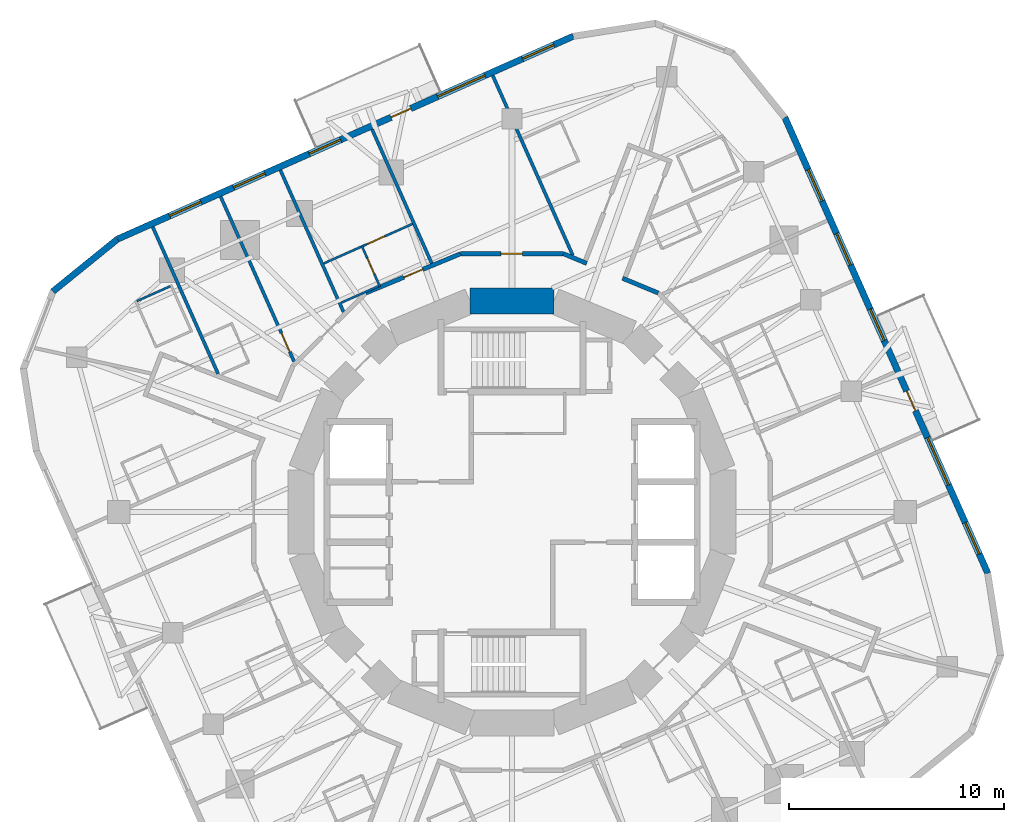
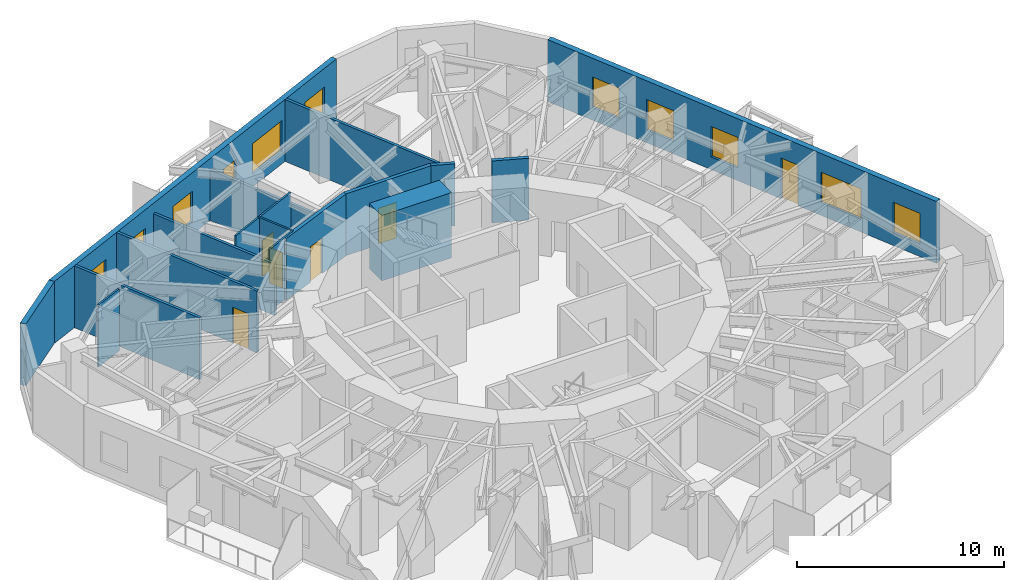
# One storey, part 9 of 12: 18 walls, 10 windows, 7 doors, 17 openings.
"""IFC4 building model written with IfcOpenShell, lengths in metres."""

from ifc_helpers import new_model, si_unit, direction, frame, frame_2d, origin, place, context, subcontext, project, spatial, rectangle, extrude, material, layer, layer_set, type_object, element, fill, save


model = new_model("IFC4")

# Units and contexts
model_context = context("Model", 3, precision=1e-05, world=origin(), true_north=direction((0.0, 1.0)))
body_context = subcontext(model_context, "Body", "Model", "MODEL_VIEW")
ifc_project = project(units=[si_unit("LENGTHUNIT", "METRE"), si_unit("AREAUNIT", "SQUARE_METRE"), si_unit("VOLUMEUNIT", "CUBIC_METRE"), si_unit("PLANEANGLEUNIT", "RADIAN"), si_unit("MASSUNIT", "GRAM", prefix="KILO")], contexts=[model_context])

# Site, building, storey
site_placement = place(None, origin())
site = spatial("IfcSite", under=ifc_project, at=site_placement, CompositionType="ELEMENT")
building_placement = place(site_placement, origin())
building = spatial("IfcBuilding", under=site, at=building_placement, Name="Nakasero Lantern House", CompositionType="ELEMENT")
storey_placement = place(building_placement, frame((0.0, 0.0, 197.85009765625)))
storey = spatial("IfcBuildingStorey", under=building, at=storey_placement, Name="L48", CompositionType="ELEMENT", Elevation=197.85009765625)

# Wall
ifc_material_1 = material(Name="Concrete C50/60", Category="concrete")
ifc_layer_1 = layer(ifc_material_1, 1.199951171875)
ifc_layer_set_1 = layer_set([ifc_layer_1], Name="Core wall 1200")
wall_type_1 = type_object("IfcWallType", Name="Core wall 1200", PredefinedType="SHEAR", material=ifc_layer_set_1)
wall_1_placement = place(storey_placement, frame((1.950927734375, 9.807861328125, 0.0), z_axis=(0.0, 0.0, 1.0), x_axis=(-1.0, 0.0, 0.0)))
element("IfcWall", 1, at=wall_1_placement, inside=storey, type_object=wall_type_1, Name="Core wall L48 facet 4", PredefinedType="SHEAR", context=body_context, shape_type="SweptSolid", body=[
    extrude(rectangle(XDim=3.90185546875, YDim=1.199951171875, at=frame_2d((1.950927734375, 0.0))), origin(), (0.0, 0.0, 1.0), 3.849853515625),
])

# Wall, opening, door
ifc_material_2 = material(Name="Blockwork", Category="masonry")
ifc_layer_2 = layer(ifc_material_2, 0.199951171875)
ifc_layer_set_2 = layer_set([ifc_layer_2], Name="Corridor wall 200")
wall_type_2 = type_object("IfcWallType", Name="Corridor wall 200", PredefinedType="PARTITIONING", material=ifc_layer_set_2)
wall_2_placement = place(storey_placement, frame((-6.802001953125, 10.1796875, 0.0), z_axis=(0.0, 0.0, 1.0), x_axis=(0.923882292998, 0.382676767893, 0.0)))
wall_2 = element("IfcWall", 2, at=wall_2_placement, inside=storey, type_object=wall_type_2, Name="Corridor wall L48 RC11a", PredefinedType="PARTITIONING", context=body_context, shape_type="SweptSolid", body=[
    extrude(rectangle(XDim=4.777099609375, YDim=0.199951171875, at=frame_2d((2.388671875, 0.0))), origin(), (0.0, 0.0, 1.0), 3.64990234375),
])
opening_1_placement = place(wall_2_placement, frame((1.919921875, 0.0, 0.0)))
opening_1 = element("IfcOpeningElement", 3, at=opening_1_placement, cuts=wall_2, Name="Opening D01", PredefinedType="OPENING", context=body_context, shape_type="SweptSolid", body=[
    extrude(rectangle(XDim=0.949951171875, YDim=2.10009765625, at=frame_2d((0.47509765625, 1.050048828125))), frame((0.0, 0.119873046875, 0.0), z_axis=(0.0, -1.0, 0.0), x_axis=(1.0, 0.0, 0.0)), (0.0, 0.0, 1.0), 0.239990234375),
])
ifc_material_3 = material(Name="Timber C24", Category="wood")
door_type_1 = type_object("IfcDoorType", Name="Bedroom door FD30S 950", OperationType="SINGLE_SWING_LEFT", PredefinedType="DOOR", material=ifc_material_3)
door_1_placement = place(opening_1_placement, origin())
door_1 = element("IfcDoor", 4, at=door_1_placement, inside=storey, type_object=door_type_1, Name="Door L48 D1-03", OperationType="SINGLE_SWING_RIGHT", OverallHeight=2.10009765625, OverallWidth=0.949951171875, PredefinedType="DOOR", context=body_context, shape_type="SweptSolid", body=[
    extrude(rectangle(XDim=0.949951171875, YDim=2.10009765625, at=frame_2d((0.47509765625, 1.050048828125))), frame((0.0, 0.02490234375, 0.0), z_axis=(0.0, -1.0, 0.0), x_axis=(1.0, 0.0, 0.0)), (0.0, 0.0, 1.0), 0.050048828125),
])
fill(opening_1, door_1)

wall_3_placement = place(storey_placement, frame((-2.388427734375, 12.0078125, 0.0), z_axis=(0.0, 0.0, 1.0), x_axis=(1.0, 0.0, 0.0)))
wall_3 = element("IfcWall", 5, at=wall_3_placement, inside=storey, type_object=wall_type_2, Name="Corridor wall L48 RC12a", PredefinedType="PARTITIONING", context=body_context, shape_type="SweptSolid", body=[
    extrude(rectangle(XDim=4.77685546875, YDim=0.199951171875, at=frame_2d((2.388427734375, 0.0))), origin(), (0.0, 0.0, 1.0), 3.64990234375),
])
opening_2_placement = place(wall_3_placement, frame((1.8701171875, 0.0, 0.0)))
opening_2 = element("IfcOpeningElement", 6, at=opening_2_placement, cuts=wall_3, Name="Opening D03", PredefinedType="OPENING", context=body_context, shape_type="SweptSolid", body=[
    extrude(rectangle(XDim=1.0, YDim=2.10009765625, at=frame_2d((0.5, 1.050048828125))), frame((0.0, 0.119873046875, 0.0), z_axis=(0.0, -1.0, 0.0), x_axis=(1.0, 0.0, 0.0)), (0.0, 0.0, 1.0), 0.239990234375),
])
ifc_material_4 = material(Name="Timber C24", Category="wood")
door_type_2 = type_object("IfcDoorType", Name="Lounge door FD30S 1000", OperationType="SINGLE_SWING_LEFT", PredefinedType="DOOR", material=ifc_material_4)
door_2_placement = place(opening_2_placement, origin())
door_2 = element("IfcDoor", 7, at=door_2_placement, inside=storey, type_object=door_type_2, Name="Door L48 DK1", OperationType="SINGLE_SWING_LEFT", OverallHeight=2.10009765625, OverallWidth=1.0, PredefinedType="DOOR", context=body_context, shape_type="SweptSolid", body=[
    extrude(rectangle(XDim=1.0, YDim=2.10009765625, at=frame_2d((0.5, 1.050048828125))), frame((0.0, 0.02490234375, 0.0), z_axis=(0.0, -1.0, 0.0), x_axis=(1.0, 0.0, 0.0)), (0.0, 0.0, 1.0), 0.050048828125),
])
fill(opening_2, door_2)

# Walls
wall_4_placement = place(storey_placement, frame((2.388427734375, 12.0078125, 0.0), z_axis=(0.0, 0.0, 1.0), x_axis=(0.923874873612, -0.382694679749, 0.0)))
element("IfcWall", 8, at=wall_4_placement, inside=storey, type_object=wall_type_2, Name="Corridor wall L48 RC13a", PredefinedType="PARTITIONING", context=body_context, shape_type="SweptSolid", body=[
    extrude(rectangle(XDim=1.173828125, YDim=0.199951171875, at=frame_2d((0.5869140625, 0.0))), origin(), (0.0, 0.0, 1.0), 3.64990234375),
])
wall_5_placement = place(storey_placement, frame((5.136474609375, 10.86962890625, 0.0), z_axis=(0.0, 0.0, 1.0), x_axis=(0.923868276622, -0.382710605355, 0.0)))
element("IfcWall", 9, at=wall_5_placement, inside=storey, type_object=wall_type_2, Name="Corridor wall L48 RC13b", PredefinedType="PARTITIONING", context=body_context, shape_type="SweptSolid", body=[
    extrude(rectangle(XDim=1.802734375, YDim=0.199951171875, at=frame_2d((0.9013671875, 0.0))), origin(), (0.0, 0.0, 1.0), 3.64990234375),
])

# Wall, opening, door
ifc_material_5 = material(Name="Blockwork", Category="masonry")
ifc_layer_3 = layer(ifc_material_5, 0.10009765625)
ifc_layer_set_3 = layer_set([ifc_layer_3], Name="En-suite wall 100")
wall_type_3 = type_object("IfcWallType", Name="En-suite wall 100", PredefinedType="PARTITIONING", material=ifc_layer_set_3)
wall_6_placement = place(storey_placement, frame((-6.138916015625, 10.475341796875, 0.0), z_axis=(0.0, 0.0, 1.0), x_axis=(-0.406774771494, 0.913528480824, 0.0)))
wall_6 = element("IfcWall", 10, at=wall_6_placement, inside=storey, type_object=wall_type_3, Name="En-suite wall L48 ES1-03", PredefinedType="PARTITIONING", context=body_context, shape_type="SweptSolid", body=[
    extrude(rectangle(XDim=2.10009765625, YDim=0.10009765625, at=frame_2d((1.050048828125, 0.0))), origin(), (0.0, 0.0, 1.0), 3.64990234375),
])
opening_3_placement = place(wall_6_placement, frame((0.64990234375, 0.0, 0.0)))
opening_3 = element("IfcOpeningElement", 11, at=opening_3_placement, cuts=wall_6, Name="Opening D02", PredefinedType="OPENING", context=body_context, shape_type="SweptSolid", body=[
    extrude(rectangle(XDim=0.800048828125, YDim=2.10009765625, at=frame_2d((0.39990234375, 1.050048828125))), frame((0.0, 0.070068359375, 0.0), z_axis=(0.0, -1.0, 0.0), x_axis=(1.0, 0.0, 0.0)), (0.0, 0.0, 1.0), 0.14013671875),
])
ifc_material_6 = material(Name="Timber C24", Category="wood")
door_type_3 = type_object("IfcDoorType", Name="En-suite door 800", OperationType="SINGLE_SWING_RIGHT", PredefinedType="DOOR", material=ifc_material_6)
door_3_placement = place(opening_3_placement, origin())
door_3 = element("IfcDoor", 12, at=door_3_placement, inside=storey, type_object=door_type_3, Name="Door L48 DE1-03", OperationType="SINGLE_SWING_LEFT", OverallHeight=2.10009765625, OverallWidth=0.800048828125, PredefinedType="DOOR", context=body_context, shape_type="SweptSolid", body=[
    extrude(rectangle(XDim=0.800048828125, YDim=2.10009765625, at=frame_2d((0.39990234375, 1.050048828125))), frame((0.0, 0.02490234375, 0.0), z_axis=(0.0, -1.0, 0.0), x_axis=(1.0, 0.0, 0.0)), (0.0, 0.0, 1.0), 0.050048828125),
])
fill(opening_3, door_3)

# Walls
for number, where, z_axis, x_axis, name in (
    (13, (-7.0185546875, 12.327880859375, 0.0), (0.0, 0.0, 1.0), (-0.913551699523, -0.406722623293, 0.0), "En-suite wall L48 EE1-03"),
    (14, (-6.205078125, 10.500732421875, 0.0), (0.0, 0.0, 1.0), (-0.913551699523, -0.406722623293, 0.0), "En-suite wall L48 EI1-03"),
):
    element("IfcWall", number, at=place(storey_placement, frame(where, z_axis=z_axis, x_axis=x_axis)), inside=storey, type_object=wall_type_3, Name=name, PredefinedType="PARTITIONING", context=body_context, shape_type="SweptSolid", body=[
        extrude(rectangle(XDim=1.89990234375, YDim=0.10009765625, at=frame_2d((0.949951171875, 0.0))), origin(), (0.0, 0.0, 1.0), 3.64990234375),
    ])
wall_7_placement = place(storey_placement, frame((-15.88720703125, 10.495849609375, 0.0), z_axis=(0.0, 0.0, 1.0), x_axis=(-0.913550776237, -0.406724697108, 0.0)))
element("IfcWall", 15, at=wall_7_placement, inside=storey, type_object=wall_type_3, Name="En-suite wall L48 EE1-06", PredefinedType="PARTITIONING", context=body_context, shape_type="SweptSolid", body=[
    extrude(rectangle(XDim=1.699951171875, YDim=0.10009765625, at=frame_2d((0.85009765625, 0.0))), origin(), (0.0, 0.0, 1.0), 3.64990234375),
])

# Wall, opening, door
wall_8_placement = place(storey_placement, frame((-4.629150390625, 13.3916015625, 0.0), z_axis=(0.0, 0.0, 1.0), x_axis=(-0.913563215259, -0.406696756474, 0.0)))
wall_8 = element("IfcWall", 16, at=wall_8_placement, inside=storey, type_object=wall_type_3, Name="En-suite wall L48 EL1-03", PredefinedType="PARTITIONING", context=body_context, shape_type="SweptSolid", body=[
    extrude(rectangle(XDim=2.515380859375, YDim=0.10009765625, at=frame_2d((1.2578125, 0.0))), origin(), (0.0, 0.0, 1.0), 3.64990234375),
])
opening_4_placement = place(wall_8_placement, frame((1.415283203125, 0.0, 0.0)))
opening_4 = element("IfcOpeningElement", 17, at=opening_4_placement, cuts=wall_8, Name="Opening D17", PredefinedType="OPENING", context=body_context, shape_type="SweptSolid", body=[
    extrude(rectangle(XDim=0.89990234375, YDim=2.10009765625, at=frame_2d((0.449951171875, 1.050048828125))), frame((0.0, 0.070068359375, 0.0), z_axis=(0.0, -1.0, 0.0), x_axis=(1.0, 0.0, 0.0)), (0.0, 0.0, 1.0), 0.14013671875),
])
ifc_material_7 = material(Name="Timber C24", Category="wood")
door_type_4 = type_object("IfcDoorType", Name="Bedroom door FD30S 900", OperationType="SINGLE_SWING_LEFT", PredefinedType="DOOR", material=ifc_material_7)
door_4_placement = place(opening_4_placement, origin())
door_4 = element("IfcDoor", 18, at=door_4_placement, inside=storey, type_object=door_type_4, Name="Door L48 DL1-03", OperationType="SINGLE_SWING_RIGHT", OverallHeight=2.10009765625, OverallWidth=0.89990234375, PredefinedType="DOOR", context=body_context, shape_type="SweptSolid", body=[
    extrude(rectangle(XDim=0.89990234375, YDim=2.10009765625, at=frame_2d((0.449951171875, 1.050048828125))), frame((0.0, 0.02490234375, 0.0), z_axis=(0.0, -1.0, 0.0), x_axis=(1.0, 0.0, 0.0)), (0.0, 0.0, 1.0), 0.050048828125),
])
fill(opening_4, door_4)

# Wall, openings, door, windows
ifc_material_8 = material(Name="Aluminium rainscreen on blockwork", Category="masonry")
ifc_layer_4 = layer(ifc_material_8, 0.300048828125)
ifc_layer_set_4 = layer_set([ifc_layer_4], Name="Facade wall 300")
wall_type_4 = type_object("IfcWallType", Name="Facade wall 300", PredefinedType="SOLIDWALL", material=ifc_layer_set_4)
wall_9_placement = place(storey_placement, frame((22.12109375, -2.848876953125, 0.0), z_axis=(0.0, 0.0, 1.0), x_axis=(-0.406734951338, 0.913546210851, 0.0)))
wall_9 = element("IfcWall", 19, at=wall_9_placement, inside=storey, type_object=wall_type_4, Name="Facade wall L48 FW0S", PredefinedType="SOLIDWALL", context=body_context, shape_type="SweptSolid", body=[
    extrude(rectangle(XDim=23.199951171875, YDim=0.300048828125, at=frame_2d((11.60009765625, 0.0))), origin(), (0.0, 0.0, 1.0), 3.64990234375),
])
opening_5_placement = place(wall_9_placement, frame((0.982421875, 0.0, 0.75)))
opening_5 = element("IfcOpeningElement", 20, at=opening_5_placement, cuts=wall_9, Name="Opening W01", PredefinedType="OPENING", context=body_context, shape_type="SweptSolid", body=[
    extrude(rectangle(XDim=1.60009765625, YDim=1.800048828125, at=frame_2d((0.800048828125, 0.89990234375))), frame((0.0, 0.169921875, 0.0), z_axis=(0.0, -1.0, 0.0), x_axis=(1.0, 0.0, 0.0)), (0.0, 0.0, 1.0), 0.340087890625),
])
opening_6_placement = place(wall_9_placement, frame((11.83984375, 0.0, 0.75)))
opening_6 = element("IfcOpeningElement", 21, at=opening_6_placement, cuts=wall_9, Name="Opening W01", PredefinedType="OPENING", context=body_context, shape_type="SweptSolid", body=[
    extrude(rectangle(XDim=1.60009765625, YDim=1.800048828125, at=frame_2d((0.800048828125, 0.89990234375))), frame((0.0, 0.169921875, 0.0), z_axis=(0.0, -1.0, 0.0), x_axis=(1.0, 0.0, 0.0)), (0.0, 0.0, 1.0), 0.340087890625),
])
opening_7_placement = place(wall_9_placement, frame((15.69140625, 0.0, 0.75)))
opening_7 = element("IfcOpeningElement", 22, at=opening_7_placement, cuts=wall_9, Name="Opening W01", PredefinedType="OPENING", context=body_context, shape_type="SweptSolid", body=[
    extrude(rectangle(XDim=1.60009765625, YDim=1.800048828125, at=frame_2d((0.800048828125, 0.89990234375))), frame((0.0, 0.169921875, 0.0), z_axis=(0.0, -1.0, 0.0), x_axis=(1.0, 0.0, 0.0)), (0.0, 0.0, 1.0), 0.340087890625),
])
opening_8_placement = place(wall_9_placement, frame((18.940185546875, 0.0, 0.75)))
opening_8 = element("IfcOpeningElement", 23, at=opening_8_placement, cuts=wall_9, Name="Opening W01", PredefinedType="OPENING", context=body_context, shape_type="SweptSolid", body=[
    extrude(rectangle(XDim=1.60009765625, YDim=1.800048828125, at=frame_2d((0.800048828125, 0.89990234375))), frame((0.0, 0.169921875, 0.0), z_axis=(0.0, -1.0, 0.0), x_axis=(1.0, 0.0, 0.0)), (0.0, 0.0, 1.0), 0.340087890625),
])
opening_9_placement = place(wall_9_placement, frame((4.500244140625, 0.0, 0.75)))
opening_9 = element("IfcOpeningElement", 24, at=opening_9_placement, cuts=wall_9, Name="Opening W03", PredefinedType="OPENING", context=body_context, shape_type="SweptSolid", body=[
    extrude(rectangle(XDim=2.39990234375, YDim=1.800048828125, at=frame_2d((1.199951171875, 0.89990234375))), frame((0.0, 0.169921875, 0.0), z_axis=(0.0, -1.0, 0.0), x_axis=(1.0, 0.0, 0.0)), (0.0, 0.0, 1.0), 0.340087890625),
])
opening_10_placement = place(wall_9_placement, frame((8.271484375, 0.0, 0.0)))
opening_10 = element("IfcOpeningElement", 25, at=opening_10_placement, cuts=wall_9, Name="Opening D04", PredefinedType="OPENING", context=body_context, shape_type="SweptSolid", body=[
    extrude(rectangle(XDim=1.0, YDim=2.39990234375, at=frame_2d((0.5, 1.199951171875))), frame((0.0, 0.169921875, 0.0), z_axis=(0.0, -1.0, 0.0), x_axis=(1.0, 0.0, 0.0)), (0.0, 0.0, 1.0), 0.340087890625),
])
ifc_material_9 = material(Name="Aluminium 6063-T6 and glass", Category="aluminium")
door_type_5 = type_object("IfcDoorType", Name="Balcony door 1000x2400", OperationType="SINGLE_SWING_RIGHT", PredefinedType="DOOR", material=ifc_material_9)
door_5_placement = place(opening_10_placement, origin())
door_5 = element("IfcDoor", 26, at=door_5_placement, inside=storey, type_object=door_type_5, Name="Balcony door L48 DB0", OperationType="SINGLE_SWING_RIGHT", OverallHeight=2.39990234375, OverallWidth=1.0, PredefinedType="DOOR", context=body_context, shape_type="SweptSolid", body=[
    extrude(rectangle(XDim=1.0, YDim=2.39990234375, at=frame_2d((0.5, 1.199951171875))), frame((0.0, 0.02490234375, 0.0), z_axis=(0.0, -1.0, 0.0), x_axis=(1.0, 0.0, 0.0)), (0.0, 0.0, 1.0), 0.050048828125),
])
fill(opening_10, door_5)
ifc_material_10 = material(Name="Aluminium 6063-T6 and glass", Category="aluminium")
window_type_1 = type_object("IfcWindowType", Name="Bedroom window 1600x1800", PartitioningType="SINGLE_PANEL", PredefinedType="WINDOW", material=ifc_material_10)
window_1_placement = place(opening_5_placement, origin())
window_1 = element("IfcWindow", 27, at=window_1_placement, inside=storey, type_object=window_type_1, Name="Window L48 WN0-00", OverallHeight=1.800048828125, OverallWidth=1.60009765625, PartitioningType="SINGLE_PANEL", PredefinedType="WINDOW", context=body_context, shape_type="SweptSolid", body=[
    extrude(rectangle(XDim=1.60009765625, YDim=1.800048828125, at=frame_2d((0.800048828125, 0.89990234375))), frame((0.0, 0.030029296875, 0.0), z_axis=(0.0, -1.0, 0.0), x_axis=(1.0, 0.0, 0.0)), (0.0, 0.0, 1.0), 0.06005859375),
])
fill(opening_5, window_1)
window_2_placement = place(opening_6_placement, origin())
window_2 = element("IfcWindow", 28, at=window_2_placement, inside=storey, type_object=window_type_1, Name="Window L48 WN0-03", OverallHeight=1.800048828125, OverallWidth=1.60009765625, PartitioningType="SINGLE_PANEL", PredefinedType="WINDOW", context=body_context, shape_type="SweptSolid", body=[
    extrude(rectangle(XDim=1.60009765625, YDim=1.800048828125, at=frame_2d((0.800048828125, 0.89990234375))), frame((0.0, 0.030029296875, 0.0), z_axis=(0.0, -1.0, 0.0), x_axis=(1.0, 0.0, 0.0)), (0.0, 0.0, 1.0), 0.06005859375),
])
fill(opening_6, window_2)
window_3_placement = place(opening_7_placement, origin())
window_3 = element("IfcWindow", 29, at=window_3_placement, inside=storey, type_object=window_type_1, Name="Window L48 WN0-04", OverallHeight=1.800048828125, OverallWidth=1.60009765625, PartitioningType="SINGLE_PANEL", PredefinedType="WINDOW", context=body_context, shape_type="SweptSolid", body=[
    extrude(rectangle(XDim=1.60009765625, YDim=1.800048828125, at=frame_2d((0.800048828125, 0.89990234375))), frame((0.0, 0.030029296875, 0.0), z_axis=(0.0, -1.0, 0.0), x_axis=(1.0, 0.0, 0.0)), (0.0, 0.0, 1.0), 0.06005859375),
])
fill(opening_7, window_3)
window_4_placement = place(opening_8_placement, origin())
window_4 = element("IfcWindow", 30, at=window_4_placement, inside=storey, type_object=window_type_1, Name="Window L48 WN0-05", OverallHeight=1.800048828125, OverallWidth=1.60009765625, PartitioningType="SINGLE_PANEL", PredefinedType="WINDOW", context=body_context, shape_type="SweptSolid", body=[
    extrude(rectangle(XDim=1.60009765625, YDim=1.800048828125, at=frame_2d((0.800048828125, 0.89990234375))), frame((0.0, 0.030029296875, 0.0), z_axis=(0.0, -1.0, 0.0), x_axis=(1.0, 0.0, 0.0)), (0.0, 0.0, 1.0), 0.06005859375),
])
fill(opening_8, window_4)
ifc_material_11 = material(Name="Aluminium 6063-T6 and glass", Category="aluminium")
window_type_2 = type_object("IfcWindowType", Name="Lounge window 2400x1800", PartitioningType="SINGLE_PANEL", PredefinedType="WINDOW", material=ifc_material_11)
window_5_placement = place(opening_9_placement, origin())
window_5 = element("IfcWindow", 31, at=window_5_placement, inside=storey, type_object=window_type_2, Name="Window L48 WK0", OverallHeight=1.800048828125, OverallWidth=2.39990234375, PartitioningType="SINGLE_PANEL", PredefinedType="WINDOW", context=body_context, shape_type="SweptSolid", body=[
    extrude(rectangle(XDim=2.39990234375, YDim=1.800048828125, at=frame_2d((1.199951171875, 0.89990234375))), frame((0.0, 0.030029296875, 0.0), z_axis=(0.0, -1.0, 0.0), x_axis=(1.0, 0.0, 0.0)), (0.0, 0.0, 1.0), 0.06005859375),
])
fill(opening_9, window_5)

wall_10_placement = place(storey_placement, frame((2.848876953125, 22.12109375, 0.0), z_axis=(0.0, 0.0, 1.0), x_axis=(-0.913546210851, -0.406734951338, 0.0)))
wall_10 = element("IfcWall", 32, at=wall_10_placement, inside=storey, type_object=wall_type_4, Name="Facade wall L48 FW1S", PredefinedType="SOLIDWALL", context=body_context, shape_type="SweptSolid", body=[
    extrude(rectangle(XDim=23.199951171875, YDim=0.300048828125, at=frame_2d((11.60009765625, 0.0))), origin(), (0.0, 0.0, 1.0), 3.64990234375),
])
opening_11_placement = place(wall_10_placement, frame((0.982421875, 0.0, 0.75)))
opening_11 = element("IfcOpeningElement", 33, at=opening_11_placement, cuts=wall_10, Name="Opening W01", PredefinedType="OPENING", context=body_context, shape_type="SweptSolid", body=[
    extrude(rectangle(XDim=1.60009765625, YDim=1.800048828125, at=frame_2d((0.800048828125, 0.89990234375))), frame((0.0, 0.169921875, 0.0), z_axis=(0.0, -1.0, 0.0), x_axis=(1.0, 0.0, 0.0)), (0.0, 0.0, 1.0), 0.340087890625),
])
opening_12_placement = place(wall_10_placement, frame((11.83984375, 0.0, 0.75)))
opening_12 = element("IfcOpeningElement", 34, at=opening_12_placement, cuts=wall_10, Name="Opening W01", PredefinedType="OPENING", context=body_context, shape_type="SweptSolid", body=[
    extrude(rectangle(XDim=1.60009765625, YDim=1.800048828125, at=frame_2d((0.800048828125, 0.89990234375))), frame((0.0, 0.169921875, 0.0), z_axis=(0.0, -1.0, 0.0), x_axis=(1.0, 0.0, 0.0)), (0.0, 0.0, 1.0), 0.340087890625),
])
opening_13_placement = place(wall_10_placement, frame((15.69140625, 0.0, 0.75)))
opening_13 = element("IfcOpeningElement", 35, at=opening_13_placement, cuts=wall_10, Name="Opening W01", PredefinedType="OPENING", context=body_context, shape_type="SweptSolid", body=[
    extrude(rectangle(XDim=1.60009765625, YDim=1.800048828125, at=frame_2d((0.800048828125, 0.89990234375))), frame((0.0, 0.169921875, 0.0), z_axis=(0.0, -1.0, 0.0), x_axis=(1.0, 0.0, 0.0)), (0.0, 0.0, 1.0), 0.340087890625),
])
opening_14_placement = place(wall_10_placement, frame((18.940185546875, 0.0, 0.75)))
opening_14 = element("IfcOpeningElement", 36, at=opening_14_placement, cuts=wall_10, Name="Opening W01", PredefinedType="OPENING", context=body_context, shape_type="SweptSolid", body=[
    extrude(rectangle(XDim=1.60009765625, YDim=1.800048828125, at=frame_2d((0.800048828125, 0.89990234375))), frame((0.0, 0.169921875, 0.0), z_axis=(0.0, -1.0, 0.0), x_axis=(1.0, 0.0, 0.0)), (0.0, 0.0, 1.0), 0.340087890625),
])
opening_15_placement = place(wall_10_placement, frame((4.500244140625, 0.0, 0.75)))
opening_15 = element("IfcOpeningElement", 37, at=opening_15_placement, cuts=wall_10, Name="Opening W03", PredefinedType="OPENING", context=body_context, shape_type="SweptSolid", body=[
    extrude(rectangle(XDim=2.39990234375, YDim=1.800048828125, at=frame_2d((1.199951171875, 0.89990234375))), frame((0.0, 0.169921875, 0.0), z_axis=(0.0, -1.0, 0.0), x_axis=(1.0, 0.0, 0.0)), (0.0, 0.0, 1.0), 0.340087890625),
])
opening_16_placement = place(wall_10_placement, frame((8.271484375, 0.0, 0.0)))
opening_16 = element("IfcOpeningElement", 38, at=opening_16_placement, cuts=wall_10, Name="Opening D04", PredefinedType="OPENING", context=body_context, shape_type="SweptSolid", body=[
    extrude(rectangle(XDim=1.0, YDim=2.39990234375, at=frame_2d((0.5, 1.199951171875))), frame((0.0, 0.169921875, 0.0), z_axis=(0.0, -1.0, 0.0), x_axis=(1.0, 0.0, 0.0)), (0.0, 0.0, 1.0), 0.340087890625),
])
door_6_placement = place(opening_16_placement, origin())
door_6 = element("IfcDoor", 39, at=door_6_placement, inside=storey, type_object=door_type_5, Name="Balcony door L48 DB1", OperationType="SINGLE_SWING_RIGHT", OverallHeight=2.39990234375, OverallWidth=1.0, PredefinedType="DOOR", context=body_context, shape_type="SweptSolid", body=[
    extrude(rectangle(XDim=1.0, YDim=2.39990234375, at=frame_2d((0.5, 1.199951171875))), frame((0.0, 0.02490234375, 0.0), z_axis=(0.0, -1.0, 0.0), x_axis=(1.0, 0.0, 0.0)), (0.0, 0.0, 1.0), 0.050048828125),
])
fill(opening_16, door_6)
window_6_placement = place(opening_11_placement, origin())
window_6 = element("IfcWindow", 40, at=window_6_placement, inside=storey, type_object=window_type_1, Name="Window L48 WN1-00", OverallHeight=1.800048828125, OverallWidth=1.60009765625, PartitioningType="SINGLE_PANEL", PredefinedType="WINDOW", context=body_context, shape_type="SweptSolid", body=[
    extrude(rectangle(XDim=1.60009765625, YDim=1.800048828125, at=frame_2d((0.800048828125, 0.89990234375))), frame((0.0, 0.030029296875, 0.0), z_axis=(0.0, -1.0, 0.0), x_axis=(1.0, 0.0, 0.0)), (0.0, 0.0, 1.0), 0.06005859375),
])
fill(opening_11, window_6)
window_7_placement = place(opening_12_placement, origin())
window_7 = element("IfcWindow", 41, at=window_7_placement, inside=storey, type_object=window_type_1, Name="Window L48 WN1-03", OverallHeight=1.800048828125, OverallWidth=1.60009765625, PartitioningType="SINGLE_PANEL", PredefinedType="WINDOW", context=body_context, shape_type="SweptSolid", body=[
    extrude(rectangle(XDim=1.60009765625, YDim=1.800048828125, at=frame_2d((0.800048828125, 0.89990234375))), frame((0.0, 0.030029296875, 0.0), z_axis=(0.0, -1.0, 0.0), x_axis=(1.0, 0.0, 0.0)), (0.0, 0.0, 1.0), 0.06005859375),
])
fill(opening_12, window_7)
window_8_placement = place(opening_13_placement, origin())
window_8 = element("IfcWindow", 42, at=window_8_placement, inside=storey, type_object=window_type_1, Name="Window L48 WN1-04", OverallHeight=1.800048828125, OverallWidth=1.60009765625, PartitioningType="SINGLE_PANEL", PredefinedType="WINDOW", context=body_context, shape_type="SweptSolid", body=[
    extrude(rectangle(XDim=1.60009765625, YDim=1.800048828125, at=frame_2d((0.800048828125, 0.89990234375))), frame((0.0, 0.030029296875, 0.0), z_axis=(0.0, -1.0, 0.0), x_axis=(1.0, 0.0, 0.0)), (0.0, 0.0, 1.0), 0.06005859375),
])
fill(opening_13, window_8)
window_9_placement = place(opening_14_placement, origin())
window_9 = element("IfcWindow", 43, at=window_9_placement, inside=storey, type_object=window_type_1, Name="Window L48 WN1-05", OverallHeight=1.800048828125, OverallWidth=1.60009765625, PartitioningType="SINGLE_PANEL", PredefinedType="WINDOW", context=body_context, shape_type="SweptSolid", body=[
    extrude(rectangle(XDim=1.60009765625, YDim=1.800048828125, at=frame_2d((0.800048828125, 0.89990234375))), frame((0.0, 0.030029296875, 0.0), z_axis=(0.0, -1.0, 0.0), x_axis=(1.0, 0.0, 0.0)), (0.0, 0.0, 1.0), 0.06005859375),
])
fill(opening_14, window_9)
window_10_placement = place(opening_15_placement, origin())
window_10 = element("IfcWindow", 44, at=window_10_placement, inside=storey, type_object=window_type_2, Name="Window L48 WK1", OverallHeight=1.800048828125, OverallWidth=2.39990234375, PartitioningType="SINGLE_PANEL", PredefinedType="WINDOW", context=body_context, shape_type="SweptSolid", body=[
    extrude(rectangle(XDim=2.39990234375, YDim=1.800048828125, at=frame_2d((1.199951171875, 0.89990234375))), frame((0.0, 0.030029296875, 0.0), z_axis=(0.0, -1.0, 0.0), x_axis=(1.0, 0.0, 0.0)), (0.0, 0.0, 1.0), 0.06005859375),
])
fill(opening_15, window_10)

# Walls
wall_11_placement = place(storey_placement, frame((-18.345458984375, 12.684814453125, 0.0), z_axis=(0.0, 0.0, 1.0), x_axis=(-0.777174099125, -0.629285642335, 0.0)))
element("IfcWall", 45, at=wall_11_placement, inside=storey, type_object=wall_type_4, Name="Facade wall L48 FW1C1", PredefinedType="SOLIDWALL", context=body_context, shape_type="SweptSolid", body=[
    extrude(rectangle(XDim=3.8564453125, YDim=0.300048828125, at=frame_2d((1.92822265625, 0.0))), origin(), (0.0, 0.0, 1.0), 3.64990234375),
])
ifc_material_12 = material(Name="Blockwork", Category="masonry")
ifc_layer_5 = layer(ifc_material_12, 0.14990234375)
ifc_layer_set_5 = layer_set([ifc_layer_5], Name="Party wall 150")
wall_type_5 = type_object("IfcWallType", Name="Party wall 150", PredefinedType="PARTITIONING", material=ifc_layer_set_5)
wall_12_placement = place(storey_placement, frame((2.824951171875, 11.935302734375, 0.0), z_axis=(0.0, 0.0, 1.0), x_axis=(-0.40672291788, 0.91355156837, 0.0)))
element("IfcWall", 46, at=wall_12_placement, inside=storey, type_object=wall_type_5, Name="Party wall L48 PW1-01", PredefinedType="PARTITIONING", context=body_context, shape_type="SweptSolid", body=[
    extrude(rectangle(XDim=9.1455078125, YDim=0.14990234375, at=frame_2d((4.57275390625, 0.0))), origin(), (0.0, 0.0, 1.0), 3.64990234375),
])
wall_13_placement = place(storey_placement, frame((-3.7314453125, 11.559814453125, 0.0), z_axis=(0.0, 0.0, 1.0), x_axis=(-0.406739408224, 0.913544226514, 0.0)))
element("IfcWall", 47, at=wall_13_placement, inside=storey, type_object=wall_type_5, Name="Party wall L48 PW1-03", PredefinedType="PARTITIONING", context=body_context, shape_type="SweptSolid", body=[
    extrude(rectangle(XDim=6.82177734375, YDim=0.14990234375, at=frame_2d((3.410888671875, 0.0))), origin(), (0.0, 0.0, 1.0), 2.96630859375),
])
wall_14_placement = place(storey_placement, frame((-7.829345703125, 9.293701171875, 0.0), z_axis=(0.0, 0.0, 1.0), x_axis=(-0.406759125496, 0.913535447493, 0.0)))
element("IfcWall", 48, at=wall_14_placement, inside=storey, type_object=wall_type_5, Name="Party wall L48 PW1-04", PredefinedType="PARTITIONING", context=body_context, shape_type="SweptSolid", body=[
    extrude(rectangle(XDim=7.225341796875, YDim=0.14990234375, at=frame_2d((3.61279296875, 0.0))), origin(), (0.0, 0.0, 1.0), 3.03759765625),
])

# Wall, opening, door
wall_15_placement = place(storey_placement, frame((-10.130615234375, 6.99267578125, 0.0), z_axis=(0.0, 0.0, 1.0), x_axis=(-0.406732255089, 0.913547411288, 0.0)))
wall_15 = element("IfcWall", 49, at=wall_15_placement, inside=storey, type_object=wall_type_5, Name="Party wall L48 PW1-05", PredefinedType="PARTITIONING", context=body_context, shape_type="SweptSolid", body=[
    extrude(rectangle(XDim=8.3916015625, YDim=0.14990234375, at=frame_2d((4.19580078125, 0.0))), origin(), (0.0, 0.0, 1.0), 3.64990234375),
])
opening_17_placement = place(wall_15_placement, frame((0.5, 0.0, 0.0)))
opening_17 = element("IfcOpeningElement", 50, at=opening_17_placement, cuts=wall_15, Name="Opening D01", PredefinedType="OPENING", context=body_context, shape_type="SweptSolid", body=[
    extrude(rectangle(XDim=0.949951171875, YDim=2.10009765625, at=frame_2d((0.47509765625, 1.050048828125))), frame((0.0, 0.094970703125, 0.0), z_axis=(0.0, -1.0, 0.0), x_axis=(1.0, 0.0, 0.0)), (0.0, 0.0, 1.0), 0.18994140625),
])
door_7_placement = place(opening_17_placement, origin())
door_7 = element("IfcDoor", 51, at=door_7_placement, inside=storey, type_object=door_type_1, Name="Door L48 DS1-05", OperationType="SINGLE_SWING_LEFT", OverallHeight=2.10009765625, OverallWidth=0.949951171875, PredefinedType="DOOR", context=body_context, shape_type="SweptSolid", body=[
    extrude(rectangle(XDim=0.949951171875, YDim=2.10009765625, at=frame_2d((0.47509765625, 1.050048828125))), frame((0.0, 0.02490234375, 0.0), z_axis=(0.0, -1.0, 0.0), x_axis=(1.0, 0.0, 0.0)), (0.0, 0.0, 1.0), 0.050048828125),
])
fill(opening_17, door_7)

# Wall
wall_16_placement = place(storey_placement, frame((-13.663330078125, 6.423095703125, 0.0), z_axis=(0.0, 0.0, 1.0), x_axis=(-0.406735380252, 0.913546019887, 0.0)))
element("IfcWall", 52, at=wall_16_placement, inside=storey, type_object=wall_type_5, Name="Party wall L48 PW1-06", PredefinedType="PARTITIONING", context=body_context, shape_type="SweptSolid", body=[
    extrude(rectangle(XDim=7.474853515625, YDim=0.14990234375, at=frame_2d((3.7373046875, 0.0))), origin(), (0.0, 0.0, 1.0), 3.64990234375),
])

save(model, "model.ifc")
